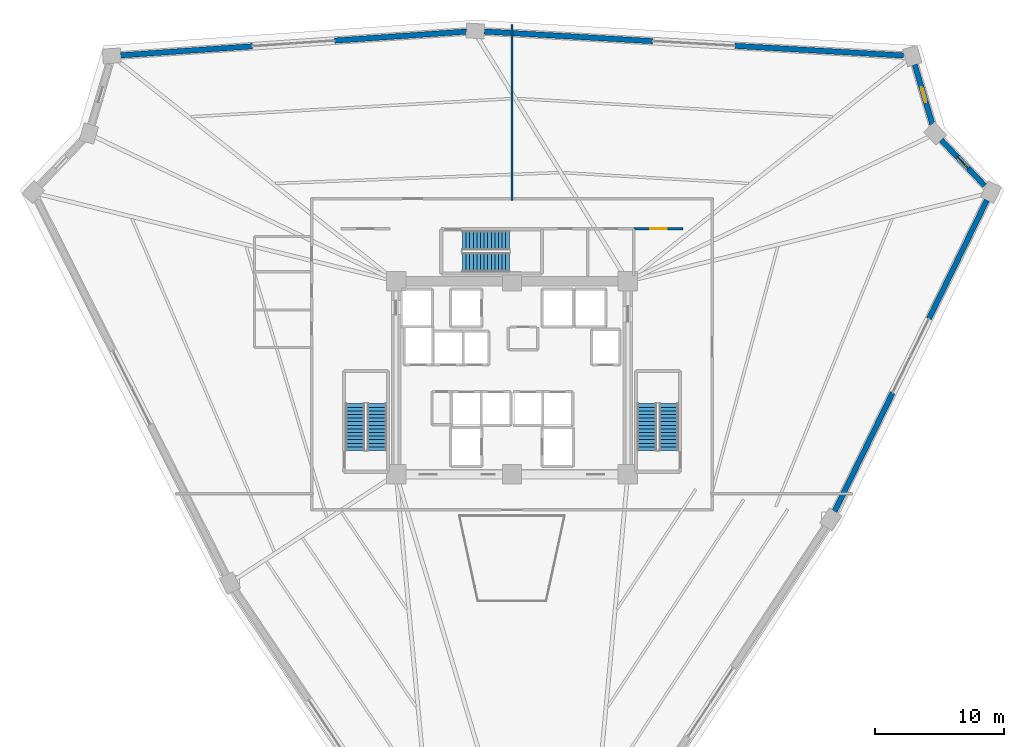
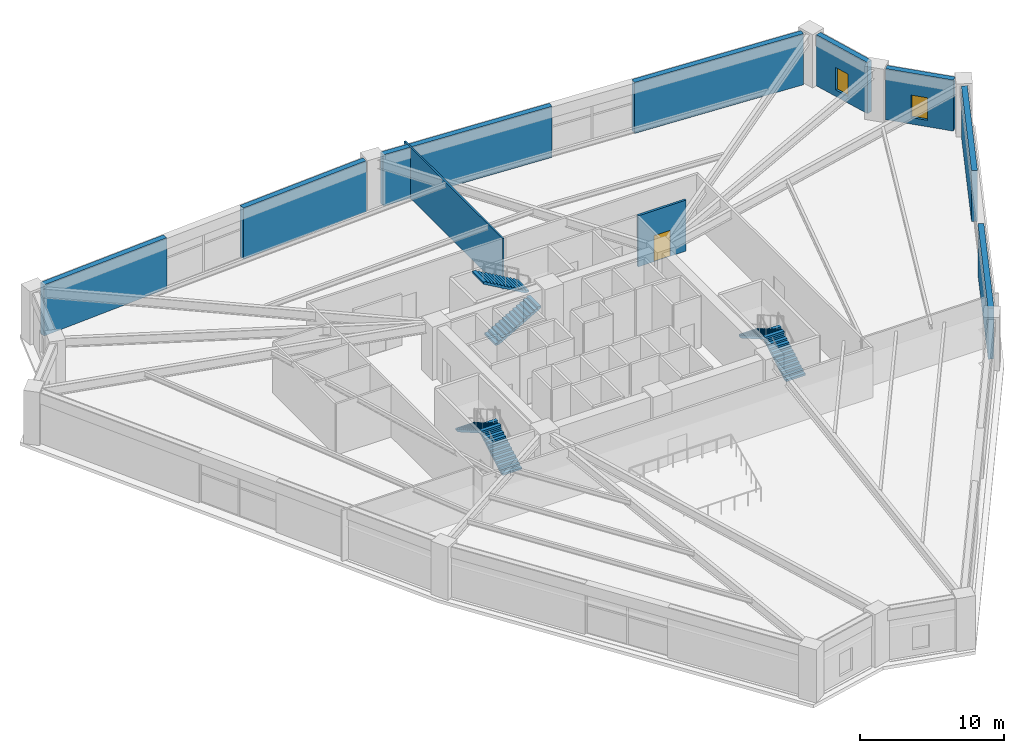
# One storey, part 28 of 30: 10 walls, 6 stair flights, 2 windows, 1 door, 3 openings, 3 elements without a shape of their own.
"""IFC4 building model written with IfcOpenShell, lengths in metres."""

from ifc_helpers import new_model, si_unit, direction, frame, frame_2d, origin, place, context, subcontext, project, spatial, polyline, rectangle, outline, extrude, source, transform, mapped, material, layer, layer_set, type_object, element, fill, aggregate, save


model = new_model("IFC4")

# Units and contexts
model_context = context("Model", 3, precision=1e-05, world=origin(), true_north=direction((0.0, 1.0)))
body_context = subcontext(model_context, "Body", "Model", "MODEL_VIEW")
ifc_project = project(units=[si_unit("LENGTHUNIT", "METRE"), si_unit("AREAUNIT", "SQUARE_METRE"), si_unit("VOLUMEUNIT", "CUBIC_METRE"), si_unit("PLANEANGLEUNIT", "RADIAN"), si_unit("MASSUNIT", "GRAM", prefix="KILO")], contexts=[model_context])

# Site, building, storey
site_placement = place(None, origin())
site = spatial("IfcSite", under=ifc_project, at=site_placement, CompositionType="ELEMENT")
building_placement = place(site_placement, origin())
building = spatial("IfcBuilding", under=site, at=building_placement, Name="Liaohun Quay Tower", CompositionType="ELEMENT")
storey_placement = place(building_placement, frame((0.0, 0.0, 97.5)))
storey = spatial("IfcBuildingStorey", under=building, at=storey_placement, Name="L25", CompositionType="ELEMENT", Elevation=97.5)

# Walls
ifc_material_1 = material(Name="Precast concrete C50 insulated sandwich", Category="concrete")
ifc_layer_1 = layer(ifc_material_1, 0.419921875, Name="Precast concrete C50 insulated sandwich", Category="concrete")
ifc_layer_set_1 = layer_set([ifc_layer_1], Name="Precast concrete C50 insulated sandwich")
wall_type_1 = type_object("IfcWallType", Name="WAL-EXT-Z12", PredefinedType="SOLIDWALL", material=ifc_layer_set_1)
for number, where, z_axis, x_axis, name in (
    (1, (85.06591796875, 43.616943359375, 0.0), (0.0, 0.0, 1.0), (0.43948100282, 0.898251884585, 0.0), "L25 Belvedere Flank Pier Wall 03L"),
    (2, (92.388916015625, 58.5859375, 0.0), (0.0, 0.0, 1.0), (0.43948100282, 0.898251884585, 0.0), "L25 Belvedere Flank Pier Wall 03R"),
):
    element("IfcWall", number, at=place(storey_placement, frame(where, z_axis=z_axis, x_axis=x_axis)), inside=storey, type_object=wall_type_1, Name=name, PredefinedType="SOLIDWALL", context=body_context, shape_type="SweptSolid", body=[
        extrude(rectangle(XDim=10.264404296875, YDim=0.419921875, at=frame_2d((5.13232421875, 0.0))), origin(), (0.0, 0.0, 1.0), 4.320068359375),
    ])

# Wall, opening, window
wall_1_placement = place(storey_placement, frame((96.72705078125, 68.926025390625, 0.0), z_axis=(0.0, 0.0, 1.0), x_axis=(-0.689158934699, 0.724610214339, 0.0)))
wall_1 = element("IfcWall", 3, at=wall_1_placement, inside=storey, type_object=wall_type_1, Name="L25 Corner Notch Precast Pier Wall 04", PredefinedType="SOLIDWALL", context=body_context, shape_type="SweptSolid", body=[
    extrude(rectangle(XDim=4.9033203125, YDim=0.419921875, at=frame_2d((2.45166015625, 0.0))), origin(), (0.0, 0.0, 1.0), 4.320068359375),
])
shared_shape_1 = source(origin(), body_context, "Body", "SweptSolid", [
    extrude(rectangle(XDim=1.199951171875, YDim=1.89990234375, at=frame_2d((0.60009765625, 0.949951171875))), frame((0.0, 0.219970703125, 0.0), z_axis=(0.0, -1.0, 0.0), x_axis=(1.0, 0.0, 0.0)), (0.0, 0.0, 1.0), 0.43994140625),
])
opening_1_placement = place(wall_1_placement, frame((1.85205078125, 0.0, 0.550048828125)))
opening_1 = element("IfcOpeningElement", 4, at=opening_1_placement, cuts=wall_1, Name="Opening W05", PredefinedType="OPENING", context=body_context, shape_type="MappedRepresentation", body=[
    mapped(shared_shape_1, transform((0.0, 0.0, 0.0), x_axis=(1.0, 0.0, 0.0), y_axis=(0.0, 1.0, 0.0), z_axis=(0.0, 0.0, 1.0), scale=1.0)),
])
ifc_material_2 = material(Name="Triple Low-E corner notch glazing", Category="glass")
window_type = type_object("IfcWindowType", Name="WIN-NOTCH", PartitioningType="SINGLE_PANEL", PredefinedType="WINDOW", material=ifc_material_2)
shared_shape_2 = source(origin(), body_context, "Body", "SweptSolid", [
    extrude(rectangle(XDim=1.199951171875, YDim=1.89990234375, at=frame_2d((0.60009765625, 0.949951171875))), frame((0.0, 0.030029296875, 0.0), z_axis=(0.0, -1.0, 0.0), x_axis=(1.0, 0.0, 0.0)), (0.0, 0.0, 1.0), 0.06005859375),
])
window_1_placement = place(opening_1_placement, origin())
window_1 = element("IfcWindow", 5, at=window_1_placement, inside=storey, type_object=window_type, Name="L25 Corner Notch Window W05-04", OverallHeight=1.89990234375, OverallWidth=1.199951171875, PartitioningType="SINGLE_PANEL", PredefinedType="WINDOW", context=body_context, shape_type="MappedRepresentation", body=[
    mapped(shared_shape_2, transform((0.0, 0.0, 0.0), x_axis=(1.0, 0.0, 0.0), y_axis=(0.0, 1.0, 0.0), z_axis=(0.0, 0.0, 1.0), scale=1.0)),
])
fill(opening_1, window_1)

wall_2_placement = place(storey_placement, frame((92.677001953125, 73.64111328125, 0.0), z_axis=(0.0, 0.0, 1.0), x_axis=(-0.282897895506, 0.959150030349, 0.0)))
wall_2 = element("IfcWall", 6, at=wall_2_placement, inside=storey, type_object=wall_type_1, Name="L25 Corner Notch Precast Pier Wall 05", PredefinedType="SOLIDWALL", context=body_context, shape_type="SweptSolid", body=[
    extrude(rectangle(XDim=4.895751953125, YDim=0.419921875, at=frame_2d((2.44775390625, 0.0))), origin(), (0.0, 0.0, 1.0), 4.320068359375),
])
opening_2_placement = place(wall_2_placement, frame((1.847900390625, 0.0, 0.550048828125)))
opening_2 = element("IfcOpeningElement", 7, at=opening_2_placement, cuts=wall_2, Name="Opening W05", PredefinedType="OPENING", context=body_context, shape_type="MappedRepresentation", body=[
    mapped(shared_shape_1, transform((0.0, 0.0, 0.0), x_axis=(1.0, 0.0, 0.0), y_axis=(0.0, 1.0, 0.0), z_axis=(0.0, 0.0, 1.0), scale=1.0)),
])
window_2_placement = place(opening_2_placement, origin())
window_2 = element("IfcWindow", 8, at=window_2_placement, inside=storey, type_object=window_type, Name="L25 Corner Notch Window W05-05", OverallHeight=1.89990234375, OverallWidth=1.199951171875, PartitioningType="SINGLE_PANEL", PredefinedType="WINDOW", context=body_context, shape_type="MappedRepresentation", body=[
    mapped(shared_shape_2, transform((0.0, 0.0, 0.0), x_axis=(1.0, 0.0, 0.0), y_axis=(0.0, 1.0, 0.0), z_axis=(0.0, 0.0, 1.0), scale=1.0)),
])
fill(opening_2, window_2)

# Walls
for number, where, z_axis, x_axis, name in (
    (9, (90.407958984375, 79.0390625, 0.0), (0.0, 0.0, 1.0), (-0.998358644797, 0.057271427079, 0.0), "L25 Belvedere Flank Pier Wall 06L"),
    (10, (70.927978515625, 80.156005859375, 0.0), (0.0, 0.0, 1.0), (-0.998358644797, 0.057271427079, 0.0), "L25 Belvedere Flank Pier Wall 06R"),
):
    element("IfcWall", number, at=place(storey_placement, frame(where, z_axis=z_axis, x_axis=x_axis)), inside=storey, type_object=wall_type_1, Name=name, PredefinedType="SOLIDWALL", context=body_context, shape_type="SweptSolid", body=[
        extrude(rectangle(XDim=13.112548828125, YDim=0.419921875, at=frame_2d((6.55615234375, 0.0))), origin(), (0.0, 0.0, 1.0), 4.320068359375),
    ])
for number, where, z_axis, x_axis, name in (
    (11, (56.4599609375, 80.89990234375, 0.0), (0.0, 0.0, 1.0), (-0.997646456811, -0.068567829284, 0.0), "L25 Belvedere Flank Pier Wall 07L"),
    (12, (39.833984375, 79.757080078125, 0.0), (0.0, 0.0, 1.0), (-0.997644829588, -0.068591500907, 0.0), "L25 Belvedere Flank Pier Wall 07R"),
):
    element("IfcWall", number, at=place(storey_placement, frame(where, z_axis=z_axis, x_axis=x_axis)), inside=storey, type_object=wall_type_1, Name=name, PredefinedType="SOLIDWALL", context=body_context, shape_type="SweptSolid", body=[
        extrude(rectangle(XDim=10.26513671875, YDim=0.419921875, at=frame_2d((5.132568359375, 0.0))), origin(), (0.0, 0.0, 1.0), 4.320068359375),
    ])

# Wall, opening, door
ifc_material_3 = material(Name="Autoclaved aerated concrete blockwork", Category="masonry")
ifc_layer_2 = layer(ifc_material_3, 0.179931640625, Name="Autoclaved aerated concrete blockwork", Category="masonry")
ifc_layer_set_2 = layer_set([ifc_layer_2], Name="Autoclaved aerated concrete blockwork")
wall_type_2 = type_object("IfcWallType", Name="WAL-PRT-COR", PredefinedType="PARTITIONING", material=ifc_layer_set_2)
wall_3_placement = place(storey_placement, frame((69.4599609375, 65.580078125, 0.0), z_axis=(0.0, 0.0, 1.0), x_axis=(1.0, 0.0, 0.0)))
wall_3 = element("IfcWall", 13, at=wall_3_placement, inside=storey, type_object=wall_type_2, Name="L25 Interior Partition Wall 009", PredefinedType="PARTITIONING", context=body_context, shape_type="SweptSolid", body=[
    extrude(rectangle(XDim=3.840087890625, YDim=0.179931640625, at=frame_2d((1.919921875, 0.0))), origin(), (0.0, 0.0, 1.0), 4.320068359375),
])
shared_shape_3 = source(origin(), body_context, "Body", "SweptSolid", [
    extrude(rectangle(XDim=1.300048828125, YDim=2.199951171875, at=frame_2d((0.64990234375, 1.10009765625))), frame((0.0, 0.099853515625, 0.0), z_axis=(0.0, -1.0, 0.0), x_axis=(1.0, 0.0, 0.0)), (0.0, 0.0, 1.0), 0.199951171875),
])
opening_3_placement = place(wall_3_placement, frame((1.27001953125, 0.0, 0.0)))
opening_3 = element("IfcOpeningElement", 14, at=opening_3_placement, cuts=wall_3, Name="Opening FD1", PredefinedType="OPENING", context=body_context, shape_type="MappedRepresentation", body=[
    mapped(shared_shape_3, transform((0.0, 0.0, 0.0), x_axis=(1.0, 0.0, 0.0), y_axis=(0.0, 1.0, 0.0), z_axis=(0.0, 0.0, 1.0), scale=1.0)),
])
ifc_material_4 = material(Name="Galvanised steel smokeproof fire door", Category="steel")
door_type = type_object("IfcDoorType", Name="DOR-FFL-1300", OperationType="NOTDEFINED", PredefinedType="DOOR", material=ifc_material_4)
shared_shape_4 = source(origin(), body_context, "Body", "SweptSolid", [
    extrude(rectangle(XDim=1.300048828125, YDim=2.199951171875, at=frame_2d((0.64990234375, 1.10009765625))), frame((0.0, 0.02490234375, 0.0), z_axis=(0.0, -1.0, 0.0), x_axis=(1.0, 0.0, 0.0)), (0.0, 0.0, 1.0), 0.050048828125),
])
door_placement = place(opening_3_placement, origin())
door = element("IfcDoor", 15, at=door_placement, inside=storey, type_object=door_type, Name="L25 East Core Vestibule Door", OperationType="SINGLE_SWING_LEFT", OverallHeight=2.199951171875, OverallWidth=1.300048828125, PredefinedType="DOOR", context=body_context, shape_type="MappedRepresentation", body=[
    mapped(shared_shape_4, transform((0.0, 0.0, 0.0), x_axis=(1.0, 0.0, 0.0), y_axis=(0.0, 1.0, 0.0), z_axis=(0.0, 0.0, 1.0), scale=1.0)),
])
fill(opening_3, door)

# Wall
ifc_material_5 = material(Name="Gypsum board on twin steel studs", Category="steel")
ifc_layer_3 = layer(ifc_material_5, 0.139892578125, Name="Gypsum board on twin steel studs", Category="steel")
ifc_layer_set_3 = layer_set([ifc_layer_3], Name="Gypsum board on twin steel studs")
wall_type_3 = type_object("IfcWallType", Name="WAL-PRT-OFF", PredefinedType="PARTITIONING", material=ifc_layer_set_3)
wall_4_placement = place(storey_placement, frame((60.0, 67.81005859375, 0.0), z_axis=(0.0, 0.0, 1.0), x_axis=(0.0, 1.0, 0.0)))
element("IfcWall", 16, at=wall_4_placement, inside=storey, type_object=wall_type_3, Name="L25 Interior Partition Wall 032", PredefinedType="PARTITIONING", context=body_context, shape_type="SweptSolid", body=[
    extrude(rectangle(XDim=13.60498046875, YDim=0.139892578125, at=frame_2d((6.802490234375, 0.0))), origin(), (0.0, 0.0, 1.0), 4.320068359375),
])

# Stair, stair flights
ifc_material_6 = material(Name="Concrete C45", Category="concrete")
stair_type = type_object("IfcStairType", Name="STR-CORE-TALL", PredefinedType="HALF_TURN_STAIR", material=ifc_material_6)
stair_1_placement = place(storey_placement, origin())
stair_1 = element("IfcStair", 17, at=stair_1_placement, inside=storey, type_object=stair_type, Name="L25 Smokeproof Core Exit Stair ST-1", PredefinedType="HALF_TURN_STAIR")
stair_flight_type = type_object("IfcStairFlightType", Name="FLT-CORE-155", PredefinedType="STRAIGHT", material=ifc_material_6)
stair_flight_1_placement = place(storey_placement, frame((49.5048828125, 48.35009765625, 0.0), z_axis=(0.0, 0.0, 1.0), x_axis=(0.0, 1.0, 0.0)))
stair_flight_1 = element("IfcStairFlight", 18, at=stair_flight_1_placement, type_object=stair_flight_type, Name="ST-1 flight 1", NumberOfRisers=14, NumberOfTreads=13, PredefinedType="STRAIGHT", RiserHeight=0.160714286, TreadLength=0.28, context=body_context, shape_type="SweptSolid", body=[
    extrude(outline(polyline([(0.0, 0.0), (0.0, 0.16064453125), (0.280029296875, 0.16064453125), (0.280029296875, 0.321533203125), (0.56005859375, 0.321533203125), (0.56005859375, 0.482177734375), (0.840087890625, 0.482177734375), (0.840087890625, 0.642822265625), (1.1201171875, 0.642822265625), (1.1201171875, 0.803466796875), (1.39990234375, 0.803466796875), (1.39990234375, 0.96435546875), (1.679931640625, 0.96435546875), (1.679931640625, 1.125), (1.9599609375, 1.125), (1.9599609375, 1.28564453125), (2.239990234375, 1.28564453125), (2.239990234375, 1.446533203125), (2.52001953125, 1.446533203125), (2.52001953125, 1.607177734375), (2.800048828125, 1.607177734375), (2.800048828125, 1.767822265625), (3.080078125, 1.767822265625), (3.080078125, 1.928466796875), (3.360107421875, 1.928466796875), (3.360107421875, 2.08935546875), (3.639892578125, 2.08935546875), (3.639892578125, 2.25), (3.639892578125, 1.91650390625), (0.301025390625, 0.0), (0.0, 0.0)])), frame((0.0, 0.77490234375, 0.0), z_axis=(0.0, -1.0, 0.0), x_axis=(1.0, 0.0, 0.0)), (0.0, 0.0, 1.0), 1.550048828125),
])
stair_flight_2_placement = place(storey_placement, frame((47.81494140625, 51.989990234375, 2.25), z_axis=(0.0, 0.0, 1.0), x_axis=(0.0, -1.0, 0.0)))
stair_flight_2 = element("IfcStairFlight", 19, at=stair_flight_2_placement, type_object=stair_flight_type, Name="ST-1 flight 2", NumberOfRisers=14, NumberOfTreads=13, PredefinedType="STRAIGHT", RiserHeight=0.160714286, TreadLength=0.28, context=body_context, shape_type="SweptSolid", body=[
    extrude(outline(polyline([(0.0, 0.0), (0.0, 0.16064453125), (0.280029296875, 0.16064453125), (0.280029296875, 0.321533203125), (0.56005859375, 0.321533203125), (0.56005859375, 0.482177734375), (0.840087890625, 0.482177734375), (0.840087890625, 0.642822265625), (1.1201171875, 0.642822265625), (1.1201171875, 0.803466796875), (1.39990234375, 0.803466796875), (1.39990234375, 0.96435546875), (1.679931640625, 0.96435546875), (1.679931640625, 1.125), (1.9599609375, 1.125), (1.9599609375, 1.28564453125), (2.239990234375, 1.28564453125), (2.239990234375, 1.446533203125), (2.52001953125, 1.446533203125), (2.52001953125, 1.607177734375), (2.800048828125, 1.607177734375), (2.800048828125, 1.767822265625), (3.080078125, 1.767822265625), (3.080078125, 1.928466796875), (3.360107421875, 1.928466796875), (3.360107421875, 2.08935546875), (3.639892578125, 2.08935546875), (3.639892578125, 2.25), (3.639892578125, 1.91650390625), (0.301025390625, 0.0), (0.0, 0.0)])), frame((0.0, 0.77490234375, 0.0), z_axis=(0.0, -1.0, 0.0), x_axis=(1.0, 0.0, 0.0)), (0.0, 0.0, 1.0), 1.550048828125),
])
aggregate(stair_1, [stair_flight_1, stair_flight_2])

stair_2_placement = place(storey_placement, origin())
stair_2 = element("IfcStair", 20, at=stair_2_placement, inside=storey, type_object=stair_type, Name="L25 Smokeproof Core Exit Stair ST-2", PredefinedType="HALF_TURN_STAIR")
stair_flight_3_placement = place(storey_placement, frame((72.18505859375, 48.35009765625, 0.0), z_axis=(0.0, 0.0, 1.0), x_axis=(0.0, 1.0, 0.0)))
stair_flight_3 = element("IfcStairFlight", 21, at=stair_flight_3_placement, type_object=stair_flight_type, Name="ST-2 flight 1", NumberOfRisers=14, NumberOfTreads=13, PredefinedType="STRAIGHT", RiserHeight=0.160714286, TreadLength=0.28, context=body_context, shape_type="SweptSolid", body=[
    extrude(outline(polyline([(0.0, 0.0), (0.0, 0.16064453125), (0.280029296875, 0.16064453125), (0.280029296875, 0.321533203125), (0.56005859375, 0.321533203125), (0.56005859375, 0.482177734375), (0.840087890625, 0.482177734375), (0.840087890625, 0.642822265625), (1.1201171875, 0.642822265625), (1.1201171875, 0.803466796875), (1.39990234375, 0.803466796875), (1.39990234375, 0.96435546875), (1.679931640625, 0.96435546875), (1.679931640625, 1.125), (1.9599609375, 1.125), (1.9599609375, 1.28564453125), (2.239990234375, 1.28564453125), (2.239990234375, 1.446533203125), (2.52001953125, 1.446533203125), (2.52001953125, 1.607177734375), (2.800048828125, 1.607177734375), (2.800048828125, 1.767822265625), (3.080078125, 1.767822265625), (3.080078125, 1.928466796875), (3.360107421875, 1.928466796875), (3.360107421875, 2.08935546875), (3.639892578125, 2.08935546875), (3.639892578125, 2.25), (3.639892578125, 1.91650390625), (0.301025390625, 0.0), (0.0, 0.0)])), frame((0.0, 0.77490234375, 0.0), z_axis=(0.0, -1.0, 0.0), x_axis=(1.0, 0.0, 0.0)), (0.0, 0.0, 1.0), 1.550048828125),
])
stair_flight_4_placement = place(storey_placement, frame((70.4951171875, 51.989990234375, 2.25), z_axis=(0.0, 0.0, 1.0), x_axis=(0.0, -1.0, 0.0)))
stair_flight_4 = element("IfcStairFlight", 22, at=stair_flight_4_placement, type_object=stair_flight_type, Name="ST-2 flight 2", NumberOfRisers=14, NumberOfTreads=13, PredefinedType="STRAIGHT", RiserHeight=0.160714286, TreadLength=0.28, context=body_context, shape_type="SweptSolid", body=[
    extrude(outline(polyline([(0.0, 0.0), (0.0, 0.16064453125), (0.280029296875, 0.16064453125), (0.280029296875, 0.321533203125), (0.56005859375, 0.321533203125), (0.56005859375, 0.482177734375), (0.840087890625, 0.482177734375), (0.840087890625, 0.642822265625), (1.1201171875, 0.642822265625), (1.1201171875, 0.803466796875), (1.39990234375, 0.803466796875), (1.39990234375, 0.96435546875), (1.679931640625, 0.96435546875), (1.679931640625, 1.125), (1.9599609375, 1.125), (1.9599609375, 1.28564453125), (2.239990234375, 1.28564453125), (2.239990234375, 1.446533203125), (2.52001953125, 1.446533203125), (2.52001953125, 1.607177734375), (2.800048828125, 1.607177734375), (2.800048828125, 1.767822265625), (3.080078125, 1.767822265625), (3.080078125, 1.928466796875), (3.360107421875, 1.928466796875), (3.360107421875, 2.08935546875), (3.639892578125, 2.08935546875), (3.639892578125, 2.25), (3.639892578125, 1.91650390625), (0.301025390625, 0.0), (0.0, 0.0)])), frame((0.0, 0.77490234375, 0.0), z_axis=(0.0, -1.0, 0.0), x_axis=(1.0, 0.0, 0.0)), (0.0, 0.0, 1.0), 1.550048828125),
])
aggregate(stair_2, [stair_flight_3, stair_flight_4])

stair_3_placement = place(storey_placement, origin())
stair_3 = element("IfcStair", 23, at=stair_3_placement, inside=storey, type_object=stair_type, Name="L25 Smokeproof Core Exit Stair ST-3", PredefinedType="HALF_TURN_STAIR")
stair_flight_5_placement = place(storey_placement, frame((56.14990234375, 62.97509765625, 0.0), z_axis=(0.0, 0.0, 1.0), x_axis=(1.0, 0.0, 0.0)))
stair_flight_5 = element("IfcStairFlight", 24, at=stair_flight_5_placement, type_object=stair_flight_type, Name="ST-3 flight 1", NumberOfRisers=14, NumberOfTreads=13, PredefinedType="STRAIGHT", RiserHeight=0.160714286, TreadLength=0.28, context=body_context, shape_type="SweptSolid", body=[
    extrude(outline(polyline([(0.0, 0.0), (0.0, 0.16064453125), (0.280029296875, 0.16064453125), (0.280029296875, 0.321533203125), (0.56005859375, 0.321533203125), (0.56005859375, 0.482177734375), (0.840087890625, 0.482177734375), (0.840087890625, 0.642822265625), (1.1201171875, 0.642822265625), (1.1201171875, 0.803466796875), (1.39990234375, 0.803466796875), (1.39990234375, 0.96435546875), (1.679931640625, 0.96435546875), (1.679931640625, 1.125), (1.9599609375, 1.125), (1.9599609375, 1.28564453125), (2.239990234375, 1.28564453125), (2.239990234375, 1.446533203125), (2.52001953125, 1.446533203125), (2.52001953125, 1.607177734375), (2.800048828125, 1.607177734375), (2.800048828125, 1.767822265625), (3.080078125, 1.767822265625), (3.080078125, 1.928466796875), (3.360107421875, 1.928466796875), (3.360107421875, 2.08935546875), (3.639892578125, 2.08935546875), (3.639892578125, 2.25), (3.639892578125, 1.91650390625), (0.301025390625, 0.0), (0.0, 0.0)])), frame((0.0, 0.77490234375, 0.0), z_axis=(0.0, -1.0, 0.0), x_axis=(1.0, 0.0, 0.0)), (0.0, 0.0, 1.0), 1.550048828125),
])
stair_flight_6_placement = place(storey_placement, frame((59.7900390625, 64.6650390625, 2.25), z_axis=(0.0, 0.0, 1.0), x_axis=(-1.0, 0.0, 0.0)))
stair_flight_6 = element("IfcStairFlight", 25, at=stair_flight_6_placement, type_object=stair_flight_type, Name="ST-3 flight 2", NumberOfRisers=14, NumberOfTreads=13, PredefinedType="STRAIGHT", RiserHeight=0.160714286, TreadLength=0.28, context=body_context, shape_type="SweptSolid", body=[
    extrude(outline(polyline([(0.0, 0.0), (0.0, 0.16064453125), (0.280029296875, 0.16064453125), (0.280029296875, 0.321533203125), (0.56005859375, 0.321533203125), (0.56005859375, 0.482177734375), (0.840087890625, 0.482177734375), (0.840087890625, 0.642822265625), (1.1201171875, 0.642822265625), (1.1201171875, 0.803466796875), (1.39990234375, 0.803466796875), (1.39990234375, 0.96435546875), (1.679931640625, 0.96435546875), (1.679931640625, 1.125), (1.9599609375, 1.125), (1.9599609375, 1.28564453125), (2.239990234375, 1.28564453125), (2.239990234375, 1.446533203125), (2.52001953125, 1.446533203125), (2.52001953125, 1.607177734375), (2.800048828125, 1.607177734375), (2.800048828125, 1.767822265625), (3.080078125, 1.767822265625), (3.080078125, 1.928466796875), (3.360107421875, 1.928466796875), (3.360107421875, 2.08935546875), (3.639892578125, 2.08935546875), (3.639892578125, 2.25), (3.639892578125, 1.91650390625), (0.301025390625, 0.0), (0.0, 0.0)])), frame((0.0, 0.77490234375, 0.0), z_axis=(0.0, -1.0, 0.0), x_axis=(1.0, 0.0, 0.0)), (0.0, 0.0, 1.0), 1.550048828125),
])
aggregate(stair_3, [stair_flight_5, stair_flight_6])

save(model, "model.ifc")
